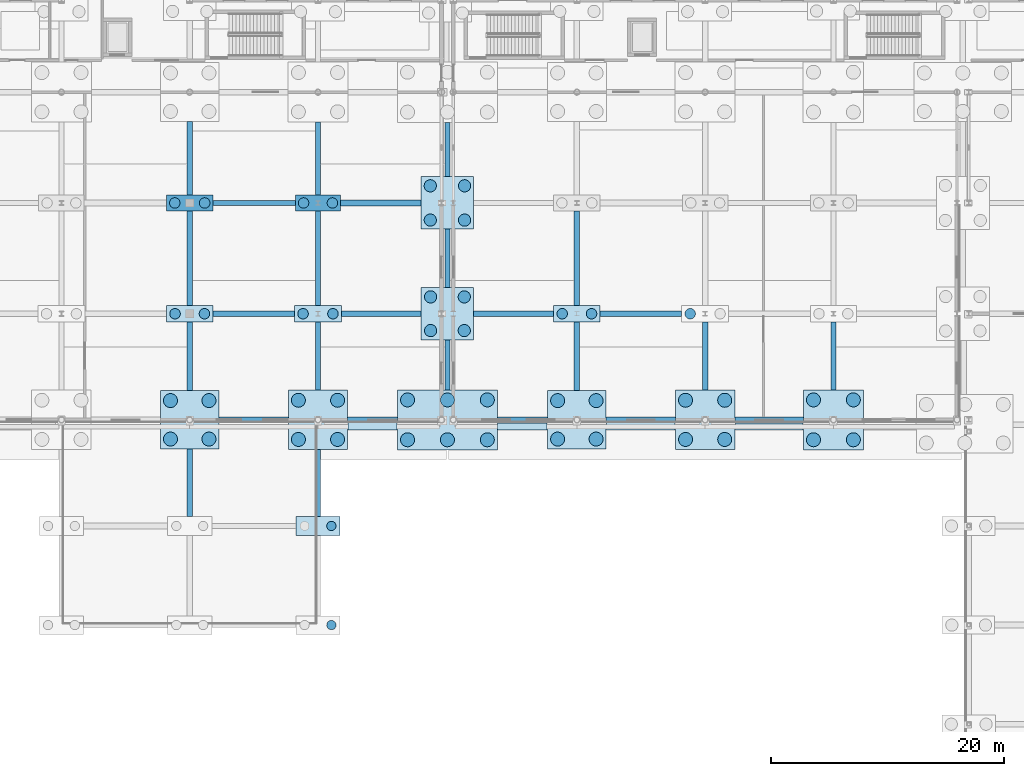
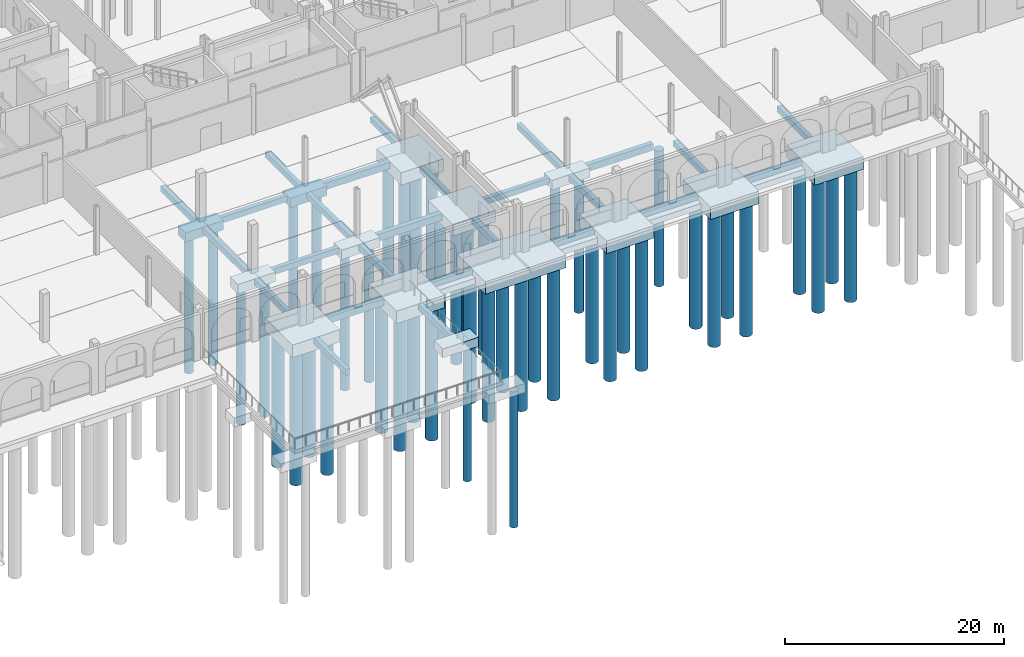
# One storey, part 3 of 83: 47 piles, 44 footings.
"""IFC4 building model written with IfcOpenShell, lengths in metres."""

from ifc_helpers import new_model, si_unit, direction, frame, origin, origin_2d, place, context, subcontext, project, spatial, polyline, circle, outline, extrude, material, material_profile, profile_set, type_object, element, save


model = new_model("IFC4")

# Units and contexts
model_context = context("Model", 3, precision=1e-05, world=origin(), true_north=direction((0.0, 1.0)))
body_context = subcontext(model_context, "Body", "Model", "MODEL_VIEW")
ifc_project = project(units=[si_unit("LENGTHUNIT", "METRE"), si_unit("AREAUNIT", "SQUARE_METRE"), si_unit("VOLUMEUNIT", "CUBIC_METRE"), si_unit("PLANEANGLEUNIT", "RADIAN"), si_unit("MASSUNIT", "GRAM", prefix="KILO")], contexts=[model_context])

# Site, building, storey
site_placement = place(None, origin())
site = spatial("IfcSite", under=ifc_project, at=site_placement, CompositionType="ELEMENT")
building_placement = place(site_placement, origin())
building = spatial("IfcBuilding", under=site, at=building_placement, Name="Caurita Quay Ferry Terminal", CompositionType="ELEMENT")
storey_placement = place(building_placement, origin())
storey = spatial("IfcBuildingStorey", under=building, at=storey_placement, Name="L00", CompositionType="ELEMENT", Elevation=0.0)

# Footings
ifc_material = material(Name="Marine reinforced concrete C40/50", Category="concrete")
footing_type_1 = type_object("IfcFootingType", Name="FTG-BM-01", PredefinedType="FOOTING_BEAM", material=ifc_material)
footing_1_placement = place(storey_placement, frame((0.0, 0.0, -1.14990234375)))
element("IfcFooting", 1, at=footing_1_placement, inside=storey, type_object=footing_type_1, Name="Seismic Tie Footing Beam FB-X-037", PredefinedType="FOOTING_BEAM", context=body_context, shape_type="SweptSolid", body=[
    extrude(outline(polyline([(68.5, 34.35009765625), (74.449951171875, 34.35009765625), (74.449951171875, 34.85009765625), (68.5, 34.85009765625), (68.5, 34.35009765625)])), origin(), (0.0, 0.0, 1.0), 0.75),
])
footing_2_placement = place(storey_placement, frame((0.0, 0.0, -1.14990234375)))
element("IfcFooting", 2, at=footing_2_placement, inside=storey, type_object=footing_type_1, Name="Seismic Tie Footing Beam FB-X-039", PredefinedType="FOOTING_BEAM", context=body_context, shape_type="SweptSolid", body=[
    extrude(outline(polyline([(92.375, 34.35009765625), (96.699951171875, 34.35009765625), (96.699951171875, 34.85009765625), (92.375, 34.85009765625), (92.375, 34.35009765625)])), origin(), (0.0, 0.0, 1.0), 0.75),
])
footing_3_placement = place(storey_placement, frame((0.0, 0.0, -1.14990234375)))
element("IfcFooting", 3, at=footing_3_placement, inside=storey, type_object=footing_type_1, Name="Seismic Tie Footing Beam FB-X-041", PredefinedType="FOOTING_BEAM", context=body_context, shape_type="SweptSolid", body=[
    extrude(outline(polyline([(112.75, 34.35009765625), (118.625, 34.35009765625), (118.625, 34.85009765625), (112.75, 34.85009765625), (112.75, 34.35009765625)])), origin(), (0.0, 0.0, 1.0), 0.75),
])
footing_4_placement = place(storey_placement, frame((0.0, 0.0, -1.14990234375)))
element("IfcFooting", 4, at=footing_4_placement, inside=storey, type_object=footing_type_1, Name="Seismic Tie Footing Beam FB-X-049", PredefinedType="FOOTING_BEAM", context=body_context, shape_type="SweptSolid", body=[
    extrude(outline(polyline([(79.02490234375, 43.449951171875), (85.85009765625, 43.449951171875), (85.85009765625, 43.949951171875), (79.02490234375, 43.949951171875), (79.02490234375, 43.449951171875)])), origin(), (0.0, 0.0, 1.0), 0.75),
])
footing_5_placement = place(storey_placement, frame((0.0, 0.0, -1.14990234375)))
element("IfcFooting", 5, at=footing_5_placement, inside=storey, type_object=footing_type_1, Name="Seismic Tie Footing Beam FB-X-051", PredefinedType="FOOTING_BEAM", context=body_context, shape_type="SweptSolid", body=[
    extrude(outline(polyline([(101.199951171875, 43.449951171875), (108.175048828125, 43.449951171875), (108.175048828125, 43.949951171875), (101.199951171875, 43.949951171875), (101.199951171875, 43.449951171875)])), origin(), (0.0, 0.0, 1.0), 0.75),
])
footing_6_placement = place(storey_placement, frame((0.0, 0.0, -1.14990234375)))
element("IfcFooting", 6, at=footing_6_placement, inside=storey, type_object=footing_type_1, Name="Seismic Tie Footing Beam FB-X-065", PredefinedType="FOOTING_BEAM", context=body_context, shape_type="SweptSolid", body=[
    extrude(outline(polyline([(78.949951171875, 52.949951171875), (85.85009765625, 52.949951171875), (85.85009765625, 53.449951171875), (78.949951171875, 53.449951171875), (78.949951171875, 52.949951171875)])), origin(), (0.0, 0.0, 1.0), 0.75),
])
footing_type_2 = type_object("IfcFootingType", Name="FTG-BM-02", PredefinedType="FOOTING_BEAM", material=ifc_material)
footing_7_placement = place(storey_placement, frame((0.0, 0.0, -1.050048828125)))
element("IfcFooting", 7, at=footing_7_placement, inside=storey, type_object=footing_type_2, Name="Seismic Tie Footing Beam FB-X-038", PredefinedType="FOOTING_BEAM", context=body_context, shape_type="SweptSolid", body=[
    extrude(outline(polyline([(79.550048828125, 34.375), (83.824951171875, 34.375), (83.824951171875, 34.824951171875), (79.550048828125, 34.824951171875), (79.550048828125, 34.375)])), origin(), (0.0, 0.0, 1.0), 0.650146484375),
])
footing_8_placement = place(storey_placement, frame((0.0, 0.0, -1.050048828125)))
element("IfcFooting", 8, at=footing_8_placement, inside=storey, type_object=footing_type_2, Name="Seismic Tie Footing Beam FB-X-040", PredefinedType="FOOTING_BEAM", context=body_context, shape_type="SweptSolid", body=[
    extrude(outline(polyline([(101.699951171875, 34.375), (107.64990234375, 34.375), (107.64990234375, 34.824951171875), (101.699951171875, 34.824951171875), (101.699951171875, 34.375)])), origin(), (0.0, 0.0, 1.0), 0.650146484375),
])
footing_9_placement = place(storey_placement, frame((0.0, 0.0, -1.050048828125)))
element("IfcFooting", 9, at=footing_9_placement, inside=storey, type_object=footing_type_2, Name="Seismic Tie Footing Beam FB-X-048", PredefinedType="FOOTING_BEAM", context=body_context, shape_type="SweptSolid", body=[
    extrude(outline(polyline([(68.0, 43.47509765625), (74.97509765625, 43.47509765625), (74.97509765625, 43.925048828125), (68.0, 43.925048828125), (68.0, 43.47509765625)])), origin(), (0.0, 0.0, 1.0), 0.650146484375),
])
footing_10_placement = place(storey_placement, frame((0.0, 0.0, -1.050048828125)))
element("IfcFooting", 10, at=footing_10_placement, inside=storey, type_object=footing_type_2, Name="Seismic Tie Footing Beam FB-X-050", PredefinedType="FOOTING_BEAM", context=body_context, shape_type="SweptSolid", body=[
    extrude(outline(polyline([(90.35009765625, 43.47509765625), (97.199951171875, 43.47509765625), (97.199951171875, 43.925048828125), (90.35009765625, 43.925048828125), (90.35009765625, 43.47509765625)])), origin(), (0.0, 0.0, 1.0), 0.650146484375),
])
footing_11_placement = place(storey_placement, frame((0.0, 0.0, -1.050048828125)))
element("IfcFooting", 11, at=footing_11_placement, inside=storey, type_object=footing_type_2, Name="Seismic Tie Footing Beam FB-X-064", PredefinedType="FOOTING_BEAM", context=body_context, shape_type="SweptSolid", body=[
    extrude(outline(polyline([(68.0, 52.97509765625), (75.050048828125, 52.97509765625), (75.050048828125, 53.425048828125), (68.0, 53.425048828125), (68.0, 52.97509765625)])), origin(), (0.0, 0.0, 1.0), 0.650146484375),
])
footing_12_placement = place(storey_placement, frame((0.0, 0.0, -1.050048828125)))
element("IfcFooting", 12, at=footing_12_placement, inside=storey, type_object=footing_type_2, Name="Seismic Tie Footing Beam FB-Y-241", PredefinedType="FOOTING_BEAM", context=body_context, shape_type="SweptSolid", body=[
    extrude(outline(polyline([(65.77490234375, 26.300048828125), (66.22509765625, 26.300048828125), (66.22509765625, 32.10009765625), (65.77490234375, 32.10009765625), (65.77490234375, 26.300048828125)])), origin(), (0.0, 0.0, 1.0), 0.650146484375),
])
footing_13_placement = place(storey_placement, frame((0.0, 0.0, -1.050048828125)))
element("IfcFooting", 13, at=footing_13_placement, inside=storey, type_object=footing_type_2, Name="Seismic Tie Footing Beam FB-Y-242", PredefinedType="FOOTING_BEAM", context=body_context, shape_type="SweptSolid", body=[
    extrude(outline(polyline([(65.77490234375, 37.10009765625), (66.22509765625, 37.10009765625), (66.22509765625, 42.97509765625), (65.77490234375, 42.97509765625), (65.77490234375, 37.10009765625)])), origin(), (0.0, 0.0, 1.0), 0.650146484375),
])
footing_14_placement = place(storey_placement, frame((0.0, 0.0, -1.050048828125)))
element("IfcFooting", 14, at=footing_14_placement, inside=storey, type_object=footing_type_2, Name="Seismic Tie Footing Beam FB-Y-243", PredefinedType="FOOTING_BEAM", context=body_context, shape_type="SweptSolid", body=[
    extrude(outline(polyline([(65.77490234375, 44.425048828125), (66.22509765625, 44.425048828125), (66.22509765625, 52.5), (65.77490234375, 52.5), (65.77490234375, 44.425048828125)])), origin(), (0.0, 0.0, 1.0), 0.650146484375),
])
footing_15_placement = place(storey_placement, frame((0.0, 0.0, -1.050048828125)))
element("IfcFooting", 15, at=footing_15_placement, inside=storey, type_object=footing_type_2, Name="Seismic Tie Footing Beam FB-Y-244", PredefinedType="FOOTING_BEAM", context=body_context, shape_type="SweptSolid", body=[
    extrude(outline(polyline([(65.77490234375, 53.89990234375), (66.22509765625, 53.89990234375), (66.22509765625, 60.175048828125), (65.77490234375, 60.175048828125), (65.77490234375, 53.89990234375)])), origin(), (0.0, 0.0, 1.0), 0.650146484375),
])
footing_16_placement = place(storey_placement, frame((0.0, 0.0, -1.050048828125)))
element("IfcFooting", 16, at=footing_16_placement, inside=storey, type_object=footing_type_2, Name="Seismic Tie Footing Beam FB-Y-252", PredefinedType="FOOTING_BEAM", context=body_context, shape_type="SweptSolid", body=[
    extrude(outline(polyline([(76.77490234375, 26.300048828125), (77.22509765625, 26.300048828125), (77.22509765625, 32.050048828125), (76.77490234375, 32.050048828125), (76.77490234375, 26.300048828125)])), origin(), (0.0, 0.0, 1.0), 0.650146484375),
])
footing_17_placement = place(storey_placement, frame((0.0, 0.0, -1.050048828125)))
element("IfcFooting", 17, at=footing_17_placement, inside=storey, type_object=footing_type_2, Name="Seismic Tie Footing Beam FB-Y-253", PredefinedType="FOOTING_BEAM", context=body_context, shape_type="SweptSolid", body=[
    extrude(outline(polyline([(76.77490234375, 37.14990234375), (77.22509765625, 37.14990234375), (77.22509765625, 42.97509765625), (76.77490234375, 42.97509765625), (76.77490234375, 37.14990234375)])), origin(), (0.0, 0.0, 1.0), 0.650146484375),
])
footing_18_placement = place(storey_placement, frame((0.0, 0.0, -1.050048828125)))
element("IfcFooting", 18, at=footing_18_placement, inside=storey, type_object=footing_type_2, Name="Seismic Tie Footing Beam FB-Y-254", PredefinedType="FOOTING_BEAM", context=body_context, shape_type="SweptSolid", body=[
    extrude(outline(polyline([(76.77490234375, 44.425048828125), (77.22509765625, 44.425048828125), (77.22509765625, 52.5), (76.77490234375, 52.5), (76.77490234375, 44.425048828125)])), origin(), (0.0, 0.0, 1.0), 0.650146484375),
])
footing_19_placement = place(storey_placement, frame((0.0, 0.0, -1.050048828125)))
element("IfcFooting", 19, at=footing_19_placement, inside=storey, type_object=footing_type_2, Name="Seismic Tie Footing Beam FB-Y-255", PredefinedType="FOOTING_BEAM", context=body_context, shape_type="SweptSolid", body=[
    extrude(outline(polyline([(76.77490234375, 53.89990234375), (77.22509765625, 53.89990234375), (77.22509765625, 60.125), (76.77490234375, 60.125), (76.77490234375, 53.89990234375)])), origin(), (0.0, 0.0, 1.0), 0.650146484375),
])
footing_20_placement = place(storey_placement, frame((0.0, 0.0, -1.050048828125)))
element("IfcFooting", 20, at=footing_20_placement, inside=storey, type_object=footing_type_2, Name="Seismic Tie Footing Beam FB-Y-262", PredefinedType="FOOTING_BEAM", context=body_context, shape_type="SweptSolid", body=[
    extrude(outline(polyline([(87.875, 37.175048828125), (88.324951171875, 37.175048828125), (88.324951171875, 41.449951171875), (87.875, 41.449951171875), (87.875, 37.175048828125)])), origin(), (0.0, 0.0, 1.0), 0.650146484375),
])
footing_21_placement = place(storey_placement, frame((0.0, 0.0, -1.050048828125)))
element("IfcFooting", 21, at=footing_21_placement, inside=storey, type_object=footing_type_2, Name="Seismic Tie Footing Beam FB-Y-263", PredefinedType="FOOTING_BEAM", context=body_context, shape_type="SweptSolid", body=[
    extrude(outline(polyline([(87.875, 45.949951171875), (88.324951171875, 45.949951171875), (88.324951171875, 50.949951171875), (87.875, 50.949951171875), (87.875, 45.949951171875)])), origin(), (0.0, 0.0, 1.0), 0.650146484375),
])
footing_22_placement = place(storey_placement, frame((0.0, 0.0, -1.050048828125)))
element("IfcFooting", 22, at=footing_22_placement, inside=storey, type_object=footing_type_2, Name="Seismic Tie Footing Beam FB-Y-264", PredefinedType="FOOTING_BEAM", context=body_context, shape_type="SweptSolid", body=[
    extrude(outline(polyline([(87.875, 55.449951171875), (88.324951171875, 55.449951171875), (88.324951171875, 60.10009765625), (87.875, 60.10009765625), (87.875, 55.449951171875)])), origin(), (0.0, 0.0, 1.0), 0.650146484375),
])
footing_23_placement = place(storey_placement, frame((0.0, 0.0, -1.050048828125)))
element("IfcFooting", 23, at=footing_23_placement, inside=storey, type_object=footing_type_2, Name="Seismic Tie Footing Beam FB-Y-278", PredefinedType="FOOTING_BEAM", context=body_context, shape_type="SweptSolid", body=[
    extrude(outline(polyline([(98.97509765625, 37.10009765625), (99.425048828125, 37.10009765625), (99.425048828125, 42.97509765625), (98.97509765625, 42.97509765625), (98.97509765625, 37.10009765625)])), origin(), (0.0, 0.0, 1.0), 0.650146484375),
])
footing_24_placement = place(storey_placement, frame((0.0, 0.0, -1.050048828125)))
element("IfcFooting", 24, at=footing_24_placement, inside=storey, type_object=footing_type_2, Name="Seismic Tie Footing Beam FB-Y-279", PredefinedType="FOOTING_BEAM", context=body_context, shape_type="SweptSolid", body=[
    extrude(outline(polyline([(98.97509765625, 44.425048828125), (99.425048828125, 44.425048828125), (99.425048828125, 52.5), (98.97509765625, 52.5), (98.97509765625, 44.425048828125)])), origin(), (0.0, 0.0, 1.0), 0.650146484375),
])
footing_25_placement = place(storey_placement, frame((0.0, 0.0, -1.050048828125)))
element("IfcFooting", 25, at=footing_25_placement, inside=storey, type_object=footing_type_2, Name="Seismic Tie Footing Beam FB-Y-287", PredefinedType="FOOTING_BEAM", context=body_context, shape_type="SweptSolid", body=[
    extrude(outline(polyline([(109.97509765625, 37.14990234375), (110.425048828125, 37.14990234375), (110.425048828125, 42.97509765625), (109.97509765625, 42.97509765625), (109.97509765625, 37.14990234375)])), origin(), (0.0, 0.0, 1.0), 0.650146484375),
])
footing_26_placement = place(storey_placement, frame((0.0, 0.0, -1.050048828125)))
element("IfcFooting", 26, at=footing_26_placement, inside=storey, type_object=footing_type_2, Name="Seismic Tie Footing Beam FB-Y-296", PredefinedType="FOOTING_BEAM", context=body_context, shape_type="SweptSolid", body=[
    extrude(outline(polyline([(120.97509765625, 37.175048828125), (121.425048828125, 37.175048828125), (121.425048828125, 42.97509765625), (120.97509765625, 42.97509765625), (120.97509765625, 37.175048828125)])), origin(), (0.0, 0.0, 1.0), 0.650146484375),
])
footing_type_3 = type_object("IfcFootingType", Name="FTG-PC-01", PredefinedType="PILE_CAP", material=ifc_material)
footing_27_placement = place(storey_placement, frame((0.0, 0.0, -1.800048828125)))
element("IfcFooting", 27, at=footing_27_placement, inside=storey, type_object=footing_type_3, Name="Pile Cap PC-055", PredefinedType="PILE_CAP", context=body_context, shape_type="SweptSolid", body=[
    extrude(outline(polyline([(63.5, 32.10009765625), (68.5, 32.10009765625), (68.5, 37.10009765625), (63.5, 37.10009765625), (63.5, 32.10009765625)])), origin(), (0.0, 0.0, 1.0), 1.400146484375),
])
footing_28_placement = place(storey_placement, frame((0.0, 0.0, -1.800048828125)))
element("IfcFooting", 28, at=footing_28_placement, inside=storey, type_object=footing_type_3, Name="Pile Cap PC-085", PredefinedType="PILE_CAP", context=body_context, shape_type="SweptSolid", body=[
    extrude(outline(polyline([(96.699951171875, 32.10009765625), (101.699951171875, 32.10009765625), (101.699951171875, 37.10009765625), (96.699951171875, 37.10009765625), (96.699951171875, 32.10009765625)])), origin(), (0.0, 0.0, 1.0), 1.400146484375),
])
footing_type_4 = type_object("IfcFootingType", Name="FTG-PC-10", PredefinedType="PILE_CAP", material=ifc_material)
footing_29_placement = place(storey_placement, frame((0.0, 0.0, -1.699951171875)))
element("IfcFooting", 29, at=footing_29_placement, inside=storey, type_object=footing_type_4, Name="Pile Cap PC-076", PredefinedType="PILE_CAP", context=body_context, shape_type="SweptSolid", body=[
    extrude(outline(polyline([(85.85009765625, 41.449951171875), (90.35009765625, 41.449951171875), (90.35009765625, 45.949951171875), (85.85009765625, 45.949951171875), (85.85009765625, 41.449951171875)])), origin(), (0.0, 0.0, 1.0), 1.300048828125),
])
footing_type_5 = type_object("IfcFootingType", Name="FTG-PC-11", PredefinedType="PILE_CAP", material=ifc_material)
footing_30_placement = place(storey_placement, frame((0.0, 0.0, -1.800048828125)))
element("IfcFooting", 30, at=footing_30_placement, inside=storey, type_object=footing_type_5, Name="Pile Cap PC-065", PredefinedType="PILE_CAP", context=body_context, shape_type="SweptSolid", body=[
    extrude(outline(polyline([(74.449951171875, 32.050048828125), (79.550048828125, 32.050048828125), (79.550048828125, 37.14990234375), (74.449951171875, 37.14990234375), (74.449951171875, 32.050048828125)])), origin(), (0.0, 0.0, 1.0), 1.400146484375),
])
footing_31_placement = place(storey_placement, frame((0.0, 0.0, -1.800048828125)))
element("IfcFooting", 31, at=footing_31_placement, inside=storey, type_object=footing_type_5, Name="Pile Cap PC-095", PredefinedType="PILE_CAP", context=body_context, shape_type="SweptSolid", body=[
    extrude(outline(polyline([(107.64990234375, 32.050048828125), (112.75, 32.050048828125), (112.75, 37.14990234375), (107.64990234375, 37.14990234375), (107.64990234375, 32.050048828125)])), origin(), (0.0, 0.0, 1.0), 1.400146484375),
])
footing_type_6 = type_object("IfcFootingType", Name="FTG-PC-12", PredefinedType="PILE_CAP", material=ifc_material)
footing_32_placement = place(storey_placement, frame((0.0, 0.0, -1.449951171875)))
element("IfcFooting", 32, at=footing_32_placement, inside=storey, type_object=footing_type_6, Name="Pile Cap PC-066", PredefinedType="PILE_CAP", context=body_context, shape_type="SweptSolid", body=[
    extrude(outline(polyline([(74.97509765625, 42.97509765625), (79.02490234375, 42.97509765625), (79.02490234375, 44.425048828125), (74.97509765625, 44.425048828125), (74.97509765625, 42.97509765625)])), origin(), (0.0, 0.0, 1.0), 1.050048828125),
])
footing_type_7 = type_object("IfcFootingType", Name="FTG-PC-13", PredefinedType="PILE_CAP", material=ifc_material)
footing_33_placement = place(storey_placement, frame((0.0, 0.0, -1.449951171875)))
element("IfcFooting", 33, at=footing_33_placement, inside=storey, type_object=footing_type_7, Name="Pile Cap PC-067", PredefinedType="PILE_CAP", context=body_context, shape_type="SweptSolid", body=[
    extrude(outline(polyline([(75.050048828125, 52.5), (78.949951171875, 52.5), (78.949951171875, 53.89990234375), (75.050048828125, 53.89990234375), (75.050048828125, 52.5)])), origin(), (0.0, 0.0, 1.0), 1.050048828125),
])
footing_type_8 = type_object("IfcFootingType", Name="FTG-PC-16", PredefinedType="PILE_CAP", material=ifc_material)
footing_34_placement = place(storey_placement, frame((0.0, 0.0, -1.800048828125)))
element("IfcFooting", 34, at=footing_34_placement, inside=storey, type_object=footing_type_8, Name="Pile Cap PC-077", PredefinedType="PILE_CAP", context=body_context, shape_type="SweptSolid", body=[
    extrude(outline(polyline([(85.85009765625, 50.949951171875), (90.35009765625, 50.949951171875), (90.35009765625, 55.449951171875), (85.85009765625, 55.449951171875), (85.85009765625, 50.949951171875)])), origin(), (0.0, 0.0, 1.0), 1.400146484375),
])
footing_type_9 = type_object("IfcFootingType", Name="FTG-PC-17", PredefinedType="PILE_CAP", material=ifc_material)
footing_35_placement = place(storey_placement, frame((0.0, 0.0, -1.800048828125)))
element("IfcFooting", 35, at=footing_35_placement, inside=storey, type_object=footing_type_9, Name="Pile Cap PC-105", PredefinedType="PILE_CAP", context=body_context, shape_type="SweptSolid", body=[
    extrude(outline(polyline([(118.625, 32.02490234375), (123.77490234375, 32.02490234375), (123.77490234375, 37.175048828125), (118.625, 37.175048828125), (118.625, 32.02490234375)])), origin(), (0.0, 0.0, 1.0), 1.400146484375),
])
footing_type_10 = type_object("IfcFootingType", Name="FTG-PC-22", PredefinedType="PILE_CAP", material=ifc_material)
footing_36_placement = place(storey_placement, frame((0.0, 0.0, -1.449951171875)))
element("IfcFooting", 36, at=footing_36_placement, inside=storey, type_object=footing_type_10, Name="Pile Cap PC-056", PredefinedType="PILE_CAP", context=body_context, shape_type="SweptSolid", body=[
    extrude(outline(polyline([(64.0, 42.97509765625), (68.0, 42.97509765625), (68.0, 44.425048828125), (64.0, 44.425048828125), (64.0, 42.97509765625)])), origin(), (0.0, 0.0, 1.0), 1.050048828125),
])
footing_37_placement = place(storey_placement, frame((0.0, 0.0, -1.449951171875)))
element("IfcFooting", 37, at=footing_37_placement, inside=storey, type_object=footing_type_10, Name="Pile Cap PC-086", PredefinedType="PILE_CAP", context=body_context, shape_type="SweptSolid", body=[
    extrude(outline(polyline([(97.199951171875, 42.97509765625), (101.199951171875, 42.97509765625), (101.199951171875, 44.425048828125), (97.199951171875, 44.425048828125), (97.199951171875, 42.97509765625)])), origin(), (0.0, 0.0, 1.0), 1.050048828125),
])
footing_type_11 = type_object("IfcFootingType", Name="FTG-PC-23", PredefinedType="PILE_CAP", material=ifc_material)
footing_38_placement = place(storey_placement, frame((0.0, 0.0, -1.449951171875)))
element("IfcFooting", 38, at=footing_38_placement, inside=storey, type_object=footing_type_11, Name="Pile Cap PC-057", PredefinedType="PILE_CAP", context=body_context, shape_type="SweptSolid", body=[
    extrude(outline(polyline([(64.0, 52.5), (68.0, 52.5), (68.0, 53.89990234375), (64.0, 53.89990234375), (64.0, 52.5)])), origin(), (0.0, 0.0, 1.0), 1.050048828125),
])
footing_type_12 = type_object("IfcFootingType", Name="FTG-PC-28", PredefinedType="PILE_CAP", material=ifc_material)
footing_39_placement = place(storey_placement, frame((0.0, 0.0, -1.800048828125)))
element("IfcFooting", 39, at=footing_39_placement, inside=storey, type_object=footing_type_12, Name="Pile Cap PC-075", PredefinedType="PILE_CAP", context=body_context, shape_type="SweptSolid", body=[
    extrude(outline(polyline([(83.824951171875, 32.02490234375), (92.375, 32.02490234375), (92.375, 37.175048828125), (83.824951171875, 37.175048828125), (83.824951171875, 32.02490234375)])), origin(), (0.0, 0.0, 1.0), 1.400146484375),
])
footing_type_13 = type_object("IfcFootingType", Name="FTG-PC-PIER", PredefinedType="PILE_CAP", material=ifc_material)
footing_40_placement = place(storey_placement, frame((0.0, 0.0, -1.39990234375)))
element("IfcFooting", 40, at=footing_40_placement, inside=storey, type_object=footing_type_13, Name="Marine Pier Pile Cap PC-PR-15", PredefinedType="PILE_CAP", context=body_context, shape_type="SweptSolid", body=[
    extrude(outline(polyline([(75.10009765625, 24.699951171875), (78.89990234375, 24.699951171875), (78.89990234375, 26.300048828125), (75.10009765625, 26.300048828125), (75.10009765625, 24.699951171875)])), origin(), (0.0, 0.0, 1.0), 1.0),
])
footing_type_14 = type_object("IfcFootingType", Name="FTG-STR-01", PredefinedType="STRIP_FOOTING", material=ifc_material)
footing_41_placement = place(storey_placement, frame((0.0, 0.0, -1.64990234375)))
element("IfcFooting", 41, at=footing_41_placement, inside=storey, type_object=footing_type_14, Name="Marine Seawall Strip Footing SF-06", PredefinedType="STRIP_FOOTING", context=body_context, shape_type="SweptSolid", body=[
    extrude(outline(polyline([(79.590087890625, 33.75), (83.784912109375, 33.75), (83.784912109375, 34.64990234375), (79.590087890625, 34.64990234375), (79.590087890625, 33.75)])), origin(), (0.0, 0.0, 1.0), 0.64990234375),
])
footing_42_placement = place(storey_placement, frame((0.0, 0.0, -1.64990234375)))
element("IfcFooting", 42, at=footing_42_placement, inside=storey, type_object=footing_type_14, Name="Marine Seawall Strip Footing SF-07", PredefinedType="STRIP_FOOTING", context=body_context, shape_type="SweptSolid", body=[
    extrude(outline(polyline([(92.4150390625, 33.75), (96.659912109375, 33.75), (96.659912109375, 34.64990234375), (92.4150390625, 34.64990234375), (92.4150390625, 33.75)])), origin(), (0.0, 0.0, 1.0), 0.64990234375),
])
footing_43_placement = place(storey_placement, frame((0.0, 0.0, -1.64990234375)))
element("IfcFooting", 43, at=footing_43_placement, inside=storey, type_object=footing_type_14, Name="Marine Seawall Strip Footing SF-08", PredefinedType="STRIP_FOOTING", context=body_context, shape_type="SweptSolid", body=[
    extrude(outline(polyline([(101.739990234375, 33.75), (107.610107421875, 33.75), (107.610107421875, 34.64990234375), (101.739990234375, 34.64990234375), (101.739990234375, 33.75)])), origin(), (0.0, 0.0, 1.0), 0.64990234375),
])
footing_44_placement = place(storey_placement, frame((0.0, 0.0, -1.64990234375)))
element("IfcFooting", 44, at=footing_44_placement, inside=storey, type_object=footing_type_14, Name="Marine Seawall Strip Footing SF-09", PredefinedType="STRIP_FOOTING", context=body_context, shape_type="SweptSolid", body=[
    extrude(outline(polyline([(112.7900390625, 33.75), (118.5849609375, 33.75), (118.5849609375, 34.64990234375), (112.7900390625, 34.64990234375), (112.7900390625, 33.75)])), origin(), (0.0, 0.0, 1.0), 0.64990234375),
])

# Piles
ifc_material_profile_1 = material_profile(ifc_material, circle(Radius=0.52490234375, at=origin_2d()), Name="PILE-D1050")
ifc_profile_set_1 = profile_set([ifc_material_profile_1], Name="Marine reinforced concrete C40/50")
pile_type_1 = type_object("IfcPileType", Name="TYPE-PL-1050", PredefinedType="BORED", material=ifc_profile_set_1)
for number, where, z_axis, x_axis, name in (
    (45, (86.656005859375, 42.256103515625, -1.60009765625), (0.0, 0.0, -1.0), (1.0, 0.0, 0.0), "Bored Marine Pile PC-076-P1"),
    (46, (89.5439453125, 42.256103515625, -1.60009765625), (0.0, 0.0, -1.0), (1.0, 0.0, 0.0), "Bored Marine Pile PC-076-P2"),
    (47, (86.656005859375, 45.14404296875, -1.60009765625), (0.0, 0.0, -1.0), (1.0, 0.0, 0.0), "Bored Marine Pile PC-076-P3"),
    (48, (89.5439453125, 45.14404296875, -1.60009765625), (0.0, 0.0, -1.0), (1.0, 0.0, 0.0), "Bored Marine Pile PC-076-P4"),
):
    element("IfcPile", number, at=place(storey_placement, frame(where, z_axis=z_axis, x_axis=x_axis)), inside=storey, type_object=pile_type_1, Name=name, PredefinedType="BORED", context=body_context, shape_type="SweptSolid", body=[
        extrude(circle(Radius=0.52490234375, at=origin_2d()), origin(), (0.0, 0.0, 1.0), 14.89990234375),
    ])
for number, where, z_axis, x_axis, name in (
    (49, (86.6298828125, 51.72998046875, -1.699951171875), (0.0, 0.0, -1.0), (1.0, 0.0, 0.0), "Bored Marine Pile PC-077-P1"),
    (50, (89.570068359375, 51.72998046875, -1.699951171875), (0.0, 0.0, -1.0), (1.0, 0.0, 0.0), "Bored Marine Pile PC-077-P2"),
    (51, (86.6298828125, 54.669921875, -1.699951171875), (0.0, 0.0, -1.0), (1.0, 0.0, 0.0), "Bored Marine Pile PC-077-P3"),
    (52, (89.570068359375, 54.669921875, -1.699951171875), (0.0, 0.0, -1.0), (1.0, 0.0, 0.0), "Bored Marine Pile PC-077-P4"),
):
    element("IfcPile", number, at=place(storey_placement, frame(where, z_axis=z_axis, x_axis=x_axis)), inside=storey, type_object=pile_type_1, Name=name, PredefinedType="BORED", context=body_context, shape_type="SweptSolid", body=[
        extrude(circle(Radius=0.52490234375, at=origin_2d()), origin(), (0.0, 0.0, 1.0), 14.800048828125),
    ])
ifc_material_profile_2 = material_profile(ifc_material, circle(Radius=0.60009765625, at=origin_2d()), Name="PILE-D1200")
ifc_profile_set_2 = profile_set([ifc_material_profile_2], Name="Marine reinforced concrete C40/50")
pile_type_2 = type_object("IfcPileType", Name="TYPE-PL-1200", PredefinedType="BORED", material=ifc_profile_set_2)
for number, where, z_axis, x_axis, name in (
    (53, (64.35009765625, 32.949951171875, -1.699951171875), (0.0, 0.0, -1.0), (1.0, 0.0, 0.0), "Bored Marine Pile PC-055-P1"),
    (54, (67.64990234375, 32.949951171875, -1.699951171875), (0.0, 0.0, -1.0), (1.0, 0.0, 0.0), "Bored Marine Pile PC-055-P2"),
    (55, (64.35009765625, 36.25, -1.699951171875), (0.0, 0.0, -1.0), (1.0, 0.0, 0.0), "Bored Marine Pile PC-055-P3"),
    (56, (67.64990234375, 36.25, -1.699951171875), (0.0, 0.0, -1.0), (1.0, 0.0, 0.0), "Bored Marine Pile PC-055-P4"),
    (57, (75.320068359375, 32.919921875, -1.699951171875), (0.0, 0.0, -1.0), (1.0, 0.0, 0.0), "Bored Marine Pile PC-065-P1"),
    (58, (78.679931640625, 32.919921875, -1.699951171875), (0.0, 0.0, -1.0), (1.0, 0.0, 0.0), "Bored Marine Pile PC-065-P2"),
    (59, (75.320068359375, 36.280029296875, -1.699951171875), (0.0, 0.0, -1.0), (1.0, 0.0, 0.0), "Bored Marine Pile PC-065-P3"),
    (60, (78.679931640625, 36.280029296875, -1.699951171875), (0.0, 0.0, -1.0), (1.0, 0.0, 0.0), "Bored Marine Pile PC-065-P4"),
    (61, (84.679931640625, 32.889892578125, -1.699951171875), (0.0, 0.0, -1.0), (1.0, 0.0, 0.0), "Bored Marine Pile PC-075-P1"),
    (62, (88.10009765625, 32.889892578125, -1.699951171875), (0.0, 0.0, -1.0), (1.0, 0.0, 0.0), "Bored Marine Pile PC-075-P2"),
    (63, (91.52001953125, 32.889892578125, -1.699951171875), (0.0, 0.0, -1.0), (1.0, 0.0, 0.0), "Bored Marine Pile PC-075-P3"),
    (64, (84.679931640625, 36.31005859375, -1.699951171875), (0.0, 0.0, -1.0), (1.0, 0.0, 0.0), "Bored Marine Pile PC-075-P4"),
    (65, (88.10009765625, 36.31005859375, -1.699951171875), (0.0, 0.0, -1.0), (1.0, 0.0, 0.0), "Bored Marine Pile PC-075-P5"),
    (66, (91.52001953125, 36.31005859375, -1.699951171875), (0.0, 0.0, -1.0), (1.0, 0.0, 0.0), "Bored Marine Pile PC-075-P6"),
    (67, (97.550048828125, 32.949951171875, -1.699951171875), (0.0, 0.0, -1.0), (1.0, 0.0, 0.0), "Bored Marine Pile PC-085-P1"),
    (68, (100.85009765625, 32.949951171875, -1.699951171875), (0.0, 0.0, -1.0), (1.0, 0.0, 0.0), "Bored Marine Pile PC-085-P2"),
    (69, (97.550048828125, 36.25, -1.699951171875), (0.0, 0.0, -1.0), (1.0, 0.0, 0.0), "Bored Marine Pile PC-085-P3"),
    (70, (100.85009765625, 36.25, -1.699951171875), (0.0, 0.0, -1.0), (1.0, 0.0, 0.0), "Bored Marine Pile PC-085-P4"),
    (71, (108.52001953125, 32.919921875, -1.699951171875), (0.0, 0.0, -1.0), (1.0, 0.0, 0.0), "Bored Marine Pile PC-095-P1"),
    (72, (111.8798828125, 32.919921875, -1.699951171875), (0.0, 0.0, -1.0), (1.0, 0.0, 0.0), "Bored Marine Pile PC-095-P2"),
    (73, (108.52001953125, 36.280029296875, -1.699951171875), (0.0, 0.0, -1.0), (1.0, 0.0, 0.0), "Bored Marine Pile PC-095-P3"),
    (74, (111.8798828125, 36.280029296875, -1.699951171875), (0.0, 0.0, -1.0), (1.0, 0.0, 0.0), "Bored Marine Pile PC-095-P4"),
    (75, (119.489990234375, 32.889892578125, -1.699951171875), (0.0, 0.0, -1.0), (1.0, 0.0, 0.0), "Bored Marine Pile PC-105-P1"),
    (76, (122.909912109375, 32.889892578125, -1.699951171875), (0.0, 0.0, -1.0), (1.0, 0.0, 0.0), "Bored Marine Pile PC-105-P2"),
    (77, (119.489990234375, 36.31005859375, -1.699951171875), (0.0, 0.0, -1.0), (1.0, 0.0, 0.0), "Bored Marine Pile PC-105-P3"),
    (78, (122.909912109375, 36.31005859375, -1.699951171875), (0.0, 0.0, -1.0), (1.0, 0.0, 0.0), "Bored Marine Pile PC-105-P4"),
):
    element("IfcPile", number, at=place(storey_placement, frame(where, z_axis=z_axis, x_axis=x_axis)), inside=storey, type_object=pile_type_2, Name=name, PredefinedType="BORED", context=body_context, shape_type="SweptSolid", body=[
        extrude(circle(Radius=0.60009765625, at=origin_2d()), origin(), (0.0, 0.0, 1.0), 14.800048828125),
    ])
ifc_material_profile_3 = material_profile(ifc_material, circle(Radius=0.39990234375, at=origin_2d()), Name="PILE-D800")
ifc_profile_set_3 = profile_set([ifc_material_profile_3], Name="Marine reinforced concrete C40/50")
pile_type_3 = type_object("IfcPileType", Name="TYPE-PL-800", PredefinedType="BORED", material=ifc_profile_set_3)
for number, where, z_axis, x_axis, name in (
    (79, (78.14990234375, 17.0, -1.300048828125), (0.0, 0.0, -1.0), (1.0, 0.0, 0.0), "Marine Pier Bored Pile PC-PR-14-P2"),
    (80, (78.14990234375, 25.5, -1.300048828125), (0.0, 0.0, -1.0), (1.0, 0.0, 0.0), "Marine Pier Bored Pile PC-PR-15-P2"),
):
    element("IfcPile", number, at=place(storey_placement, frame(where, z_axis=z_axis, x_axis=x_axis)), inside=storey, type_object=pile_type_3, Name=name, PredefinedType="BORED", context=body_context, shape_type="SweptSolid", body=[
        extrude(circle(Radius=0.39990234375, at=origin_2d()), origin(), (0.0, 0.0, 1.0), 15.199951171875),
    ])
ifc_material_profile_4 = material_profile(ifc_material, circle(Radius=0.449951171875, at=origin_2d()), Name="PILE-D900")
ifc_profile_set_4 = profile_set([ifc_material_profile_4], Name="Marine reinforced concrete C40/50")
pile_type_4 = type_object("IfcPileType", Name="TYPE-PL-900", PredefinedType="BORED", material=ifc_profile_set_4)
for number, where, z_axis, x_axis, name in (
    (81, (64.739990234375, 43.699951171875, -1.35009765625), (0.0, 0.0, -1.0), (1.0, 0.0, 0.0), "Bored Marine Pile PC-056-P1"),
    (82, (67.260009765625, 43.699951171875, -1.35009765625), (0.0, 0.0, -1.0), (1.0, 0.0, 0.0), "Bored Marine Pile PC-056-P2"),
    (83, (64.718017578125, 53.199951171875, -1.35009765625), (0.0, 0.0, -1.0), (1.0, 0.0, 0.0), "Bored Marine Pile PC-057-P1"),
    (84, (67.281982421875, 53.199951171875, -1.35009765625), (0.0, 0.0, -1.0), (1.0, 0.0, 0.0), "Bored Marine Pile PC-057-P2"),
    (85, (75.718017578125, 43.699951171875, -1.35009765625), (0.0, 0.0, -1.0), (1.0, 0.0, 0.0), "Bored Marine Pile PC-066-P1"),
    (86, (78.281982421875, 43.699951171875, -1.35009765625), (0.0, 0.0, -1.0), (1.0, 0.0, 0.0), "Bored Marine Pile PC-066-P2"),
    (87, (75.762939453125, 53.199951171875, -1.35009765625), (0.0, 0.0, -1.0), (1.0, 0.0, 0.0), "Bored Marine Pile PC-067-P1"),
    (88, (78.237060546875, 53.199951171875, -1.35009765625), (0.0, 0.0, -1.0), (1.0, 0.0, 0.0), "Bored Marine Pile PC-067-P2"),
    (89, (97.93994140625, 43.699951171875, -1.35009765625), (0.0, 0.0, -1.0), (1.0, 0.0, 0.0), "Bored Marine Pile PC-086-P1"),
    (90, (100.4599609375, 43.699951171875, -1.35009765625), (0.0, 0.0, -1.0), (1.0, 0.0, 0.0), "Bored Marine Pile PC-086-P2"),
    (91, (108.91796875, 43.699951171875, -1.35009765625), (0.0, 0.0, -1.0), (1.0, 0.0, 0.0), "Bored Marine Pile PC-096-P1"),
):
    element("IfcPile", number, at=place(storey_placement, frame(where, z_axis=z_axis, x_axis=x_axis)), inside=storey, type_object=pile_type_4, Name=name, PredefinedType="BORED", context=body_context, shape_type="SweptSolid", body=[
        extrude(circle(Radius=0.449951171875, at=origin_2d()), origin(), (0.0, 0.0, 1.0), 15.14990234375),
    ])

save(model, "model.ifc")
